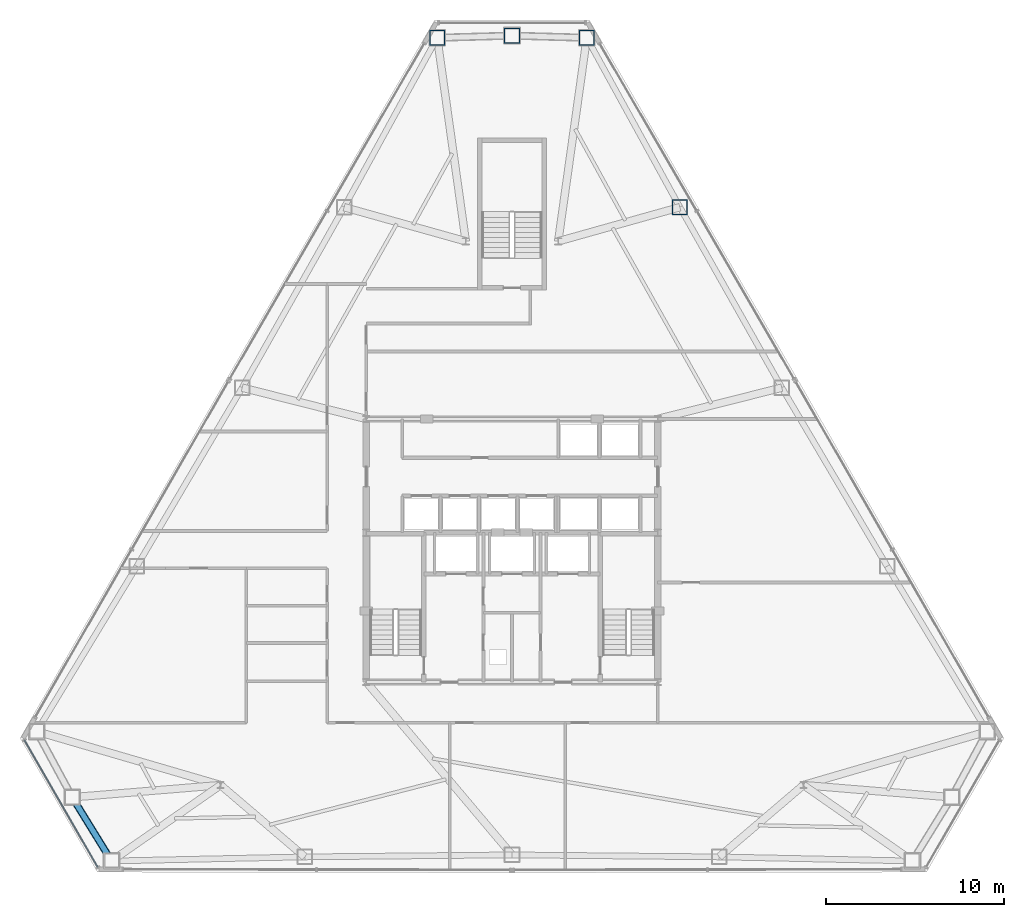
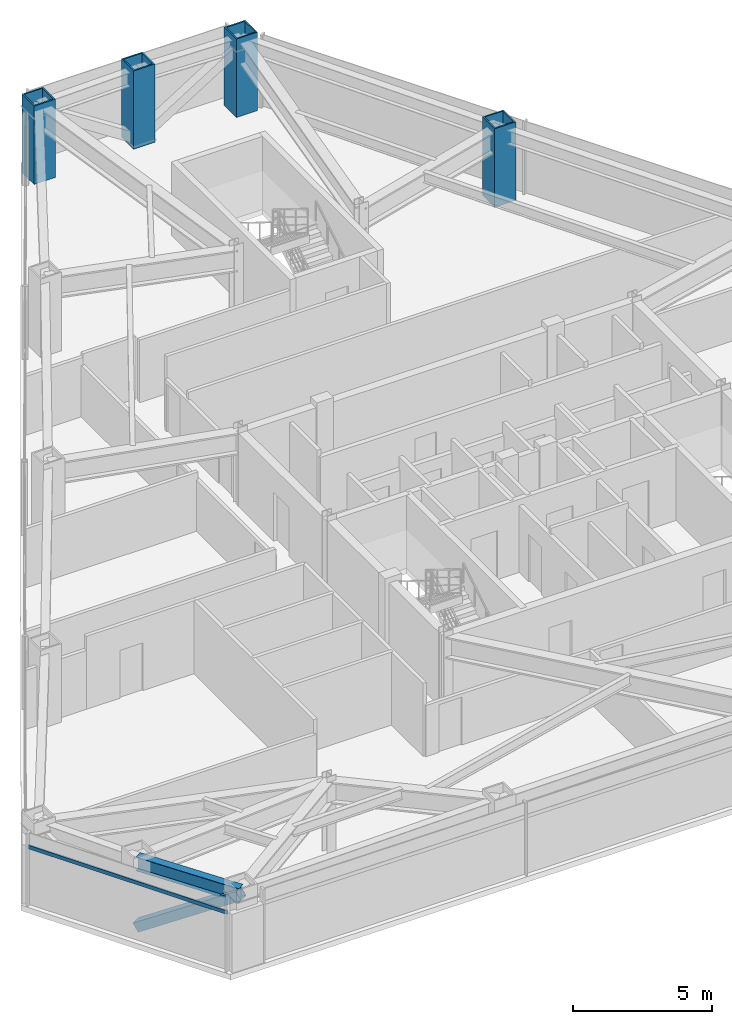
# One storey, part 3 of 13: 4 columns, 2 members, 1 beam, 1 element without a shape of its own.
"""IFC4 building model written with IfcOpenShell, lengths in metres."""

from ifc_helpers import new_model, si_unit, direction, frame, origin, origin_2d, place, context, subcontext, project, spatial, rectangle, hollow_rectangle, i_section, extrude, source, transform, mapped, material, layer, layer_set, material_profile, profile_set, type_object, type_shapes, element, aggregate, save


model = new_model("IFC4")

# Units and contexts
model_context = context("Model", 3, precision=1e-05, world=origin(), true_north=direction((0.0, 1.0)))
body_context = subcontext(model_context, "Body", "Model", "MODEL_VIEW")
ifc_project = project(units=[si_unit("LENGTHUNIT", "METRE"), si_unit("AREAUNIT", "SQUARE_METRE"), si_unit("VOLUMEUNIT", "CUBIC_METRE"), si_unit("PLANEANGLEUNIT", "RADIAN"), si_unit("MASSUNIT", "GRAM", prefix="KILO")], contexts=[model_context])

# Site, building, storey
site_placement = place(None, origin())
site = spatial("IfcSite", under=ifc_project, at=site_placement, CompositionType="ELEMENT")
building_placement = place(site_placement, origin())
building = spatial("IfcBuilding", under=site, at=building_placement, Name="Varakhsha Concourse Tower", CompositionType="ELEMENT")
storey_placement = place(building_placement, frame((0.0, 0.0, 122.89990234375)))
storey = spatial("IfcBuildingStorey", under=building, at=storey_placement, Name="L35", CompositionType="ELEMENT", Elevation=122.89990234375)

# Columns
ifc_material_1 = material(Name="Structural Steel ASTM A572 Grade 50", Category="steel")
ifc_material_profile_1 = material_profile(ifc_material_1, hollow_rectangle(XDim=0.8798828125, YDim=0.8798828125, WallThickness=0.06005859375, at=origin_2d()), Name="BOX 880x880x60")
ifc_profile_set_1 = profile_set([ifc_material_profile_1], Name="Structural Steel ASTM A572 Grade 50")
column_type = type_object("IfcColumnType", Name="CL-TUBE-880", PredefinedType="COLUMN", material=ifc_profile_set_1)
for number, where, z_axis, x_axis, name in (
    (1, (44.208984375, 52.652099609375, 0.0), (0.0, 0.0, 1.0), (1.0, 0.0, 0.0), "L35 Framed-Tube Column TC01"),
    (2, (40.0, 52.773193359375, 0.0), (0.0, 0.0, 1.0), (1.0, 0.0, 0.0), "L35 Framed-Tube Column TC02"),
    (3, (35.791015625, 52.652099609375, 0.0), (0.0, 0.0, 1.0), (1.0, 0.0, 0.0), "L35 Framed-Tube Column TC03"),
    (4, (49.445556640625, 43.120361328125, 0.0), (0.0, 0.0, 1.0), (1.0, 0.0, 0.0), "L35 Framed-Tube Column TC18"),
):
    element("IfcColumn", number, at=place(storey_placement, frame(where, z_axis=z_axis, x_axis=x_axis)), inside=storey, type_object=column_type, Name=name, PredefinedType="COLUMN", context=body_context, shape_type="SweptSolid", body=[
        extrude(hollow_rectangle(XDim=0.8798828125, YDim=0.8798828125, WallThickness=0.06005859375, at=origin_2d()), origin(), (0.0, 0.0, 1.0), 3.4501953125),
    ])

# Beam
ifc_material_2 = material(Name="Structural Steel ASTM A992 Grade 50", Category="steel")
ifc_material_profile_2 = material_profile(ifc_material_2, i_section(OverallWidth=0.323974609375, OverallDepth=0.611083984375, WebThickness=0.012939453125, FlangeThickness=0.01904296875, at=origin_2d()), Name="W24X104")
ifc_profile_set_2 = profile_set([ifc_material_profile_2], Name="Structural Steel ASTM A992 Grade 50")
beam_type = type_object("IfcBeamType", Name="BM-SPAN-W24X104", PredefinedType="SPANDREL", material=ifc_profile_set_2)
beam_placement = place(storey_placement, frame((15.2548828125, 9.913330078125, 2.904541015625), z_axis=(0.524724867896, -0.851271879608, 0.0), x_axis=(0.851271879608, 0.524724867896, 0.0)))
element("IfcBeam", 5, at=beam_placement, inside=storey, type_object=beam_type, Name="BM-SPAN-L35-08", PredefinedType="SPANDREL", context=body_context, shape_type="SweptSolid", body=[
    extrude(i_section(OverallWidth=0.323974609375, OverallDepth=0.611083984375, WebThickness=0.012939453125, FlangeThickness=0.01904296875, at=origin_2d()), origin(), (0.0, 0.0, 1.0), 4.210693359375),
])

# Member
ifc_material_3 = material(Name="Structural Steel ASTM A500 Grade C", Category="steel")
ifc_material_profile_3 = material_profile(ifc_material_3, hollow_rectangle(XDim=0.39990234375, YDim=0.39990234375, WallThickness=0.01611328125, at=origin_2d()), Name="HSS 400x400x16")
ifc_profile_set_3 = profile_set([ifc_material_profile_3], Name="Structural Steel ASTM A500 Grade C")
member_type_1 = type_object("IfcMemberType", Name="MB-TUBE-HSS400", PredefinedType="BRACE", material=ifc_profile_set_3)
shared_shape_1 = source(origin(), body_context, "Body", "SweptSolid", [
    extrude(hollow_rectangle(XDim=0.39990234375, YDim=0.39990234375, WallThickness=0.01611328125, at=origin_2d()), origin(), (0.0, 0.0, 1.0), 5.05126953125),
])
type_shapes(member_type_1, [shared_shape_1])
member_1_placement = place(storey_placement, frame((15.2548828125, 9.913330078125, 0.1201171875), z_axis=(0.43741616757, -0.709629190306, 0.552352703093), x_axis=(0.851271879608, 0.524724867896, 0.0)))
element("IfcMember", 6, at=member_1_placement, inside=storey, type_object=member_type_1, Name="L35 Wind-Corner Tube Brace B04", PredefinedType="BRACE", context=body_context, shape_type="MappedRepresentation", body=[
    mapped(shared_shape_1, transform((0.0, 0.0, 0.0), scale=1.0)),
])

# Curtain wall, member
ifc_material_4 = material(Name="Anodised Bronze Architectural Aluminium AA 6063-T6", Category="aluminium")
ifc_layer = layer(ifc_material_4, 0.2099609375, Name="CW-SYS-04")
ifc_layer_set = layer_set([ifc_layer], Name="Anodised Bronze Architectural Aluminium AA 6063-T6")
curtain_wall_type = type_object("IfcCurtainWallType", Name="CW-SYS-04", PredefinedType="NOTDEFINED", material=ifc_layer_set)
curtain_wall_placement = place(storey_placement, origin())
curtain_wall = element("IfcCurtainWall", 7, at=curtain_wall_placement, inside=storey, type_object=curtain_wall_type, Name="L35 Chamfer Curtain Wall F4", PredefinedType="NOTDEFINED")
ifc_material_profile_4 = material_profile(ifc_material_4, rectangle(XDim=0.06494140625, YDim=0.159912109375, at=origin_2d()), Name="CWT-160X65")
ifc_profile_set_4 = profile_set([ifc_material_profile_4], Name="Anodised Bronze Architectural Aluminium AA 6063-T6")
member_type_2 = type_object("IfcMemberType", Name="CWT-160X65", PredefinedType="USERDEFINED", material=ifc_profile_set_4)
shared_shape_2 = source(origin(), body_context, "Body", "SweptSolid", [
    extrude(rectangle(XDim=0.06494140625, YDim=0.159912109375, at=origin_2d()), origin(), (0.0, 0.0, 1.0), 8.2744140625),
])
type_shapes(member_type_2, [shared_shape_2])
member_2_placement = place(storey_placement, frame((16.699951171875, 5.970458984375, 2.56005859375), z_axis=(-0.500004254331, 0.866022947531, 0.0), x_axis=(-0.866022947531, -0.500004254331, 0.0)))
member_2 = element("IfcMember", 8, at=member_2_placement, type_object=member_type_2, Name="CW-L35-F4 Transom 01", ObjectType="TRANSOM", PredefinedType="USERDEFINED", context=body_context, shape_type="MappedRepresentation", body=[
    mapped(shared_shape_2, transform((0.0, 0.0, 0.0), scale=1.0)),
])
aggregate(curtain_wall, [member_2])

save(model, "model.ifc")
